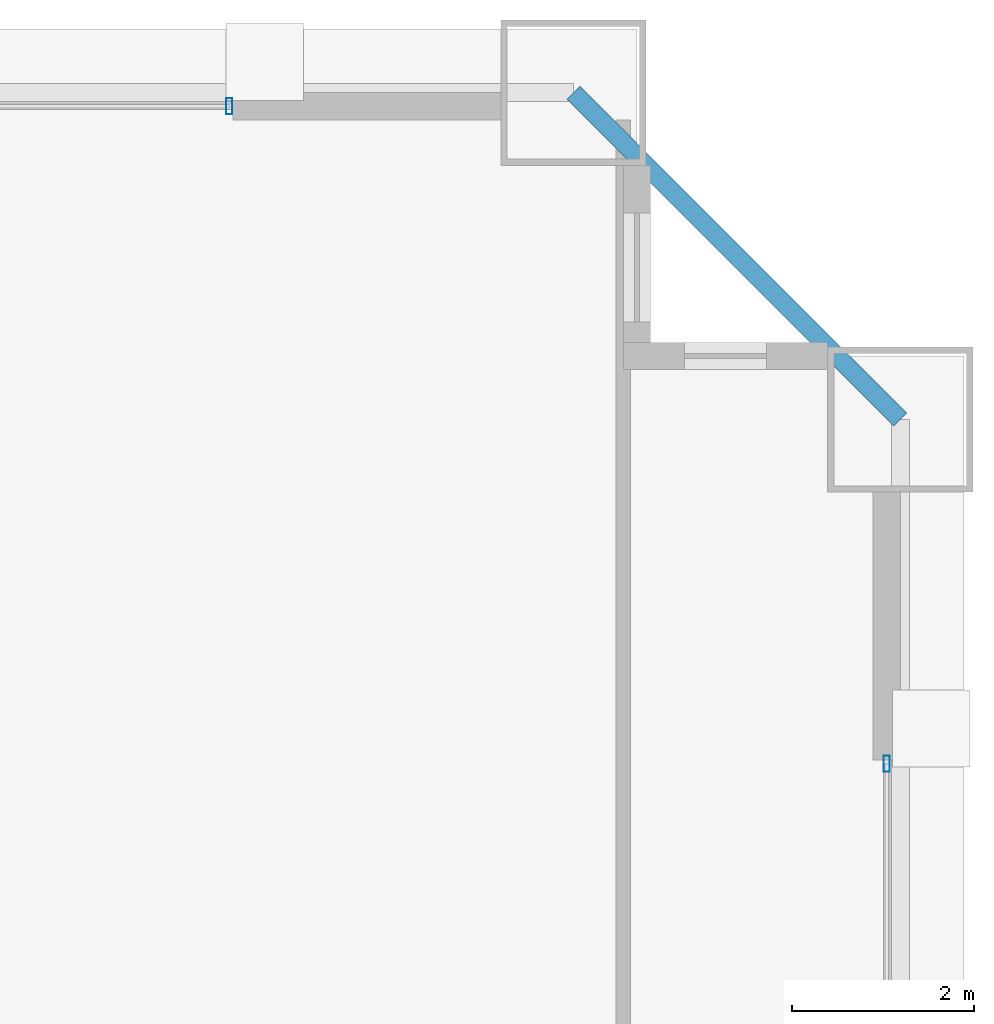
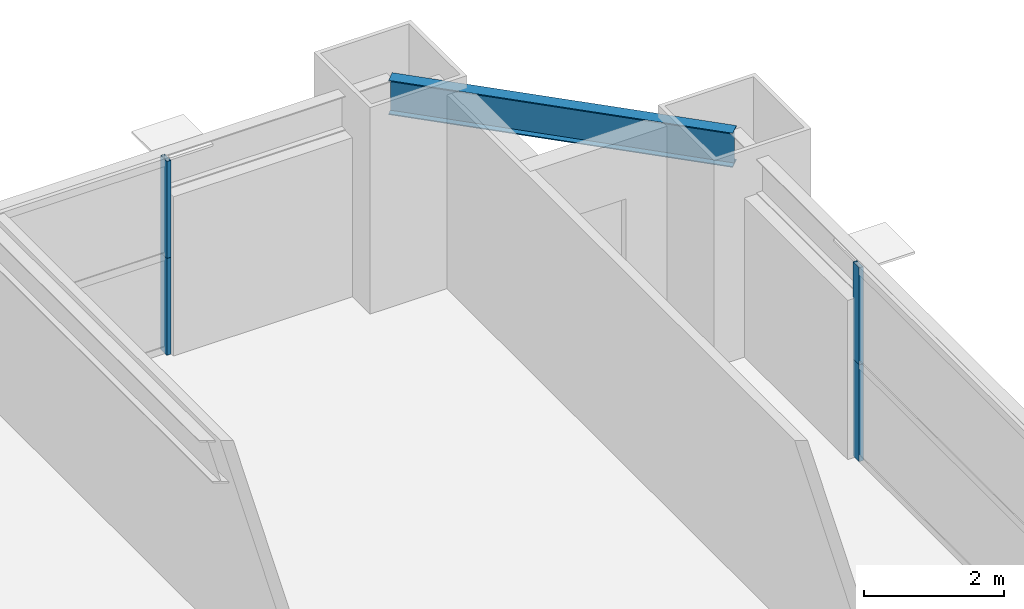
# One storey, part 33 of 39: 4 members, 1 beam, 2 elements without a shape of their own.
"""IFC4 building model written with IfcOpenShell, lengths in metres."""

from ifc_helpers import new_model, si_unit, direction, frame, origin, origin_2d, place, context, subcontext, project, spatial, hollow_rectangle, i_section, extrude, source, transform, mapped, material, layer, layer_set, material_profile, profile_set, type_object, element, aggregate, save


model = new_model("IFC4")

# Units and contexts
model_context = context("Model", 3, precision=1e-05, world=origin(), true_north=direction((0.0, 1.0)))
body_context = subcontext(model_context, "Body", "Model", "MODEL_VIEW")
ifc_project = project(units=[si_unit("LENGTHUNIT", "METRE"), si_unit("AREAUNIT", "SQUARE_METRE"), si_unit("VOLUMEUNIT", "CUBIC_METRE"), si_unit("PLANEANGLEUNIT", "RADIAN"), si_unit("MASSUNIT", "GRAM", prefix="KILO"), si_unit("THERMODYNAMICTEMPERATUREUNIT", "KELVIN"), si_unit("POWERUNIT", "WATT")], contexts=[model_context])

# Site, building, storey
site_placement = place(None, origin())
site = spatial("IfcSite", under=ifc_project, at=site_placement, CompositionType="ELEMENT")
building_placement = place(site_placement, origin())
building = spatial("IfcBuilding", under=site, at=building_placement, Name="Yuzanri Waterfront Tower", CompositionType="ELEMENT")
storey_placement = place(building_placement, frame((0.0, 0.0, 134.39990234375)))
storey = spatial("IfcBuildingStorey", under=building, at=storey_placement, Name="L35", CompositionType="ELEMENT", Elevation=134.39990234375)

# Beam
ifc_material_1 = material(Name="Steel Q355B", Category="steel")
ifc_material_profile_1 = material_profile(ifc_material_1, i_section(OverallWidth=0.199951171875, OverallDepth=0.60009765625, WebThickness=0.010986328125, FlangeThickness=0.01708984375, at=origin_2d()), Name="HN 600x200x11x17")
ifc_profile_set_1 = profile_set([ifc_material_profile_1], Name="Steel Q355B")
beam_type = type_object("IfcBeamType", Name="Perimeter Spandrel Q355B HN 600x200", PredefinedType="SPANDREL", material=ifc_profile_set_1)
shared_shape_1 = source(origin(), body_context, "Body", "SweptSolid", [
    extrude(i_section(OverallWidth=0.199951171875, OverallDepth=0.60009765625, WebThickness=0.010986328125, FlangeThickness=0.01708984375, at=origin_2d()), origin(), (0.0, 0.0, 1.0), 5.091064453125),
])
beam_placement = place(storey_placement, frame((60.60009765625, 45.800048828125, 3.080078125), z_axis=(-0.707130757816, 0.707082803744, 0.0), x_axis=(-0.707082803744, -0.707130757816, 0.0)))
element("IfcBeam", 1, at=beam_placement, inside=storey, type_object=beam_type, Name="L35 Perimeter Spandrel E3-N3", PredefinedType="SPANDREL", context=body_context, shape_type="MappedRepresentation", body=[
    mapped(shared_shape_1, transform((0.0, 0.0, 0.0), scale=1.0)),
])

# Curtain wall, members
ifc_material_2 = material(Name="Anodized Architectural Bronze", Category="metal")
ifc_layer = layer(ifc_material_2, 0.159912109375)
ifc_layer_set = layer_set([ifc_layer], Name="Anodized Architectural Bronze")
curtain_wall_type = type_object("IfcCurtainWallType", Name="Anodized Bronze Hotel Upper-Tier Solar-Control Unitized Curtain Wall 7800", PredefinedType="NOTDEFINED", material=ifc_layer_set)
curtain_wall_1_placement = place(storey_placement, origin())
curtain_wall_1 = element("IfcCurtainWall", 2, at=curtain_wall_1_placement, inside=storey, type_object=curtain_wall_type, Name="L35 Curtain Wall CW-L35-NR", PredefinedType="NOTDEFINED")
ifc_material_3 = material(Name="Anodized Architectural Bronze", Category="metal")
ifc_material_profile_2 = material_profile(ifc_material_3, hollow_rectangle(XDim=0.070068359375, YDim=0.179931640625, WallThickness=0.00390625, at=origin_2d()), Name="CWM 70x180")
ifc_profile_set_2 = profile_set([ifc_material_profile_2], Name="Anodized Architectural Bronze")
member_type = type_object("IfcMemberType", Name="Anodized Bronze Standard Curtain-Wall Mullion 70x180", PredefinedType="MULLION", material=ifc_profile_set_2)
shared_shape_2 = source(origin(), body_context, "Body", "SweptSolid", [
    extrude(hollow_rectangle(XDim=0.070068359375, YDim=0.179931640625, WallThickness=0.00390625, at=origin_2d()), origin(), (0.0, 0.0, 1.0), 1.68798828125),
])
member_1_placement = place(storey_placement, frame((53.2099609375, 49.25, 0.0), z_axis=(0.0, 0.0, 1.0), x_axis=(1.0, 0.0, 0.0)))
member_1 = element("IfcMember", 3, at=member_1_placement, type_object=member_type, Name="CW-L35-NR Lower Mullion 02", PredefinedType="MULLION", context=body_context, shape_type="MappedRepresentation", body=[
    mapped(shared_shape_2, transform((0.0, 0.0, 0.0), scale=1.0)),
])
member_2_placement = place(storey_placement, frame((53.2099609375, 49.25, 1.692138671875), z_axis=(0.0, 0.0, 1.0), x_axis=(1.0, 0.0, 0.0)))
member_2 = element("IfcMember", 4, at=member_2_placement, type_object=member_type, Name="CW-L35-NR Upper Mullion 02", PredefinedType="MULLION", context=body_context, shape_type="MappedRepresentation", body=[
    mapped(shared_shape_2, transform((0.0, 0.0, 0.0), scale=1.0)),
])
aggregate(curtain_wall_1, [member_1, member_2])

curtain_wall_2_placement = place(storey_placement, origin())
curtain_wall_2 = element("IfcCurtainWall", 5, at=curtain_wall_2_placement, inside=storey, type_object=curtain_wall_type, Name="L35 Curtain Wall CW-L35-ER", PredefinedType="NOTDEFINED")
member_3_placement = place(storey_placement, frame((60.449951171875, 42.010009765625, 0.0), z_axis=(0.0, 0.0, 1.0), x_axis=(1.0, 0.0, 0.0)))
member_3 = element("IfcMember", 6, at=member_3_placement, type_object=member_type, Name="CW-L35-ER Lower Mullion 02", PredefinedType="MULLION", context=body_context, shape_type="MappedRepresentation", body=[
    mapped(shared_shape_2, transform((0.0, 0.0, 0.0), scale=1.0)),
])
member_4_placement = place(storey_placement, frame((60.449951171875, 42.010009765625, 1.692138671875), z_axis=(0.0, 0.0, 1.0), x_axis=(1.0, 0.0, 0.0)))
member_4 = element("IfcMember", 7, at=member_4_placement, type_object=member_type, Name="CW-L35-ER Upper Mullion 02", PredefinedType="MULLION", context=body_context, shape_type="MappedRepresentation", body=[
    mapped(shared_shape_2, transform((0.0, 0.0, 0.0), scale=1.0)),
])
aggregate(curtain_wall_2, [member_3, member_4])

save(model, "model.ifc")
